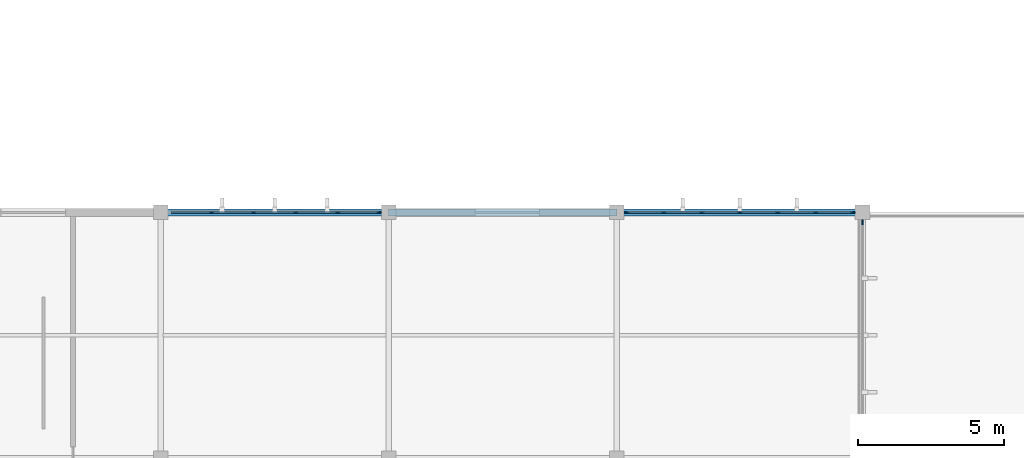
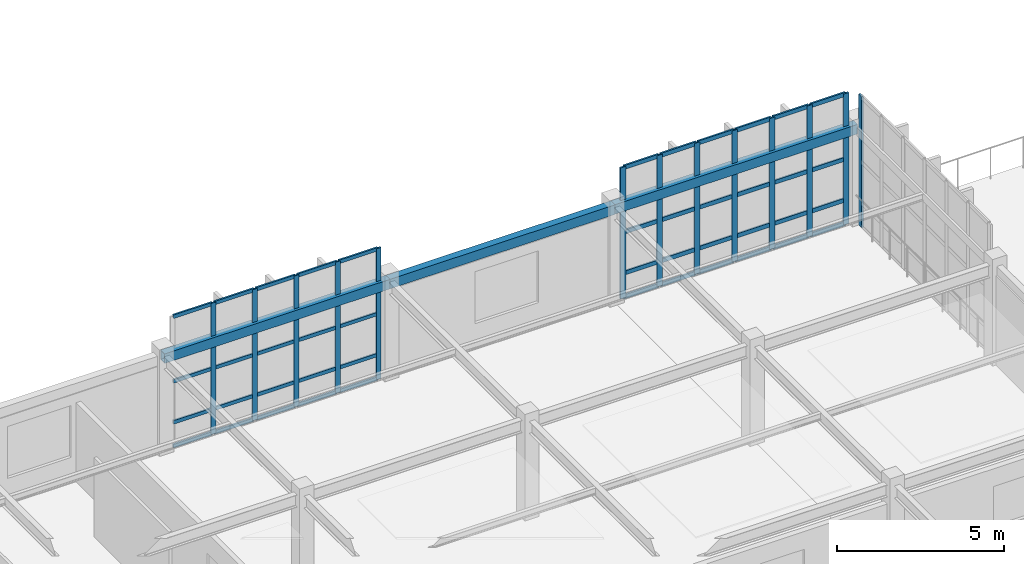
# One storey, part 8 of 20: 57 members, 3 beams, 3 elements without a shape of their own.
"""IFC4 building model written with IfcOpenShell, lengths in metres."""

import ifcopenshell
import ifcopenshell.guid

model = None  # the IFC model being written
_history = None  # IfcOwnerHistory: only IFC2X3 demands one
_inside = {}  # id of a spatial element -> (the spatial element, [elements in it])
_under = {}  # id of a project, library or spatial element -> (it, [spatial elements below it])
_declared = {}  # id of a project -> (the project, [libraries it declares])
_typed = {}  # id of a type object -> (the type object, [elements of that type])
_made_of = {}  # id of a material, layer set ... -> (it, [elements and type objects made of it])


def new_model(schema):
    """Start an empty IFC model of exactly this schema.

    Asked for "IFC4X3", IfcOpenShell would pick the latest addendum, in which some entities
    have other attributes; the version numbers below select the first issue.
    IFC2X3 requires an IfcOwnerHistory on every rooted entity: one is made here for all.
    """
    global model, _history
    if schema == "IFC4X3":
        model = ifcopenshell.file(schema_version=(4, 3, 0, 0))
    else:
        model = ifcopenshell.file(schema=schema)
    _inside.clear()
    _under.clear()
    _declared.clear()
    _typed.clear()
    _made_of.clear()
    _history = None
    if model.schema == "IFC2X3":
        org = make("IfcOrganization", Name="unknown")
        user = make(
            "IfcPersonAndOrganization",
            ThePerson=make("IfcPerson", FamilyName="unknown"),
            TheOrganization=org,
        )
        app = make(
            "IfcApplication",
            ApplicationDeveloper=org,
            Version="unknown",
            ApplicationFullName="unknown",
            ApplicationIdentifier="unknown",
        )
        _history = make(
            "IfcOwnerHistory",
            OwningUser=user,
            OwningApplication=app,
            ChangeAction="ADDED",
            CreationDate=0,
        )
    return model


def make(cls, **values):
    """One entity of the class cls with the attributes given. An attribute that is None is left unset."""
    return model.create_entity(
        cls, **{name: value for name, value in values.items() if value is not None}
    )


def rooted(cls, **values):
    """An entity with a GlobalId (a new one), such as an element, a storey or a relation."""
    return make(cls, GlobalId=ifcopenshell.guid.new(), OwnerHistory=_history, **values)


def si_unit(unit_type, name, prefix=None):
    """IfcSIUnit, for example si_unit("LENGTHUNIT", "METRE", prefix="MILLI")."""
    return make("IfcSIUnit", UnitType=unit_type, Prefix=prefix, Name=name)


def assignment(units):
    """IfcUnitAssignment: the units of a project."""
    return None if units is None else make("IfcUnitAssignment", Units=units)


def point(xyz):
    """IfcCartesianPoint."""
    return None if xyz is None else make("IfcCartesianPoint", Coordinates=xyz)


def direction(xyz):
    """IfcDirection."""
    return None if xyz is None else make("IfcDirection", DirectionRatios=xyz)


def frame(location, z_axis=None, x_axis=None):
    """IfcAxis2Placement3D, a coordinate frame: its origin and axes. An axis left out is left unset."""
    return make(
        "IfcAxis2Placement3D",
        Location=point(location),
        Axis=direction(z_axis),
        RefDirection=direction(x_axis),
    )


def frame_2d(location, x_axis=None):
    """IfcAxis2Placement2D, a coordinate frame in the plane: its origin and x axis."""
    return make(
        "IfcAxis2Placement2D", Location=point(location), RefDirection=direction(x_axis)
    )


def origin():
    """The frame at (0, 0, 0) with its axes left unset."""
    return frame((0.0, 0.0, 0.0))


def origin_2d():
    """The frame at (0, 0) in the plane with its x axis left unset."""
    return frame_2d((0.0, 0.0))


def place(relative_to, where):
    """IfcLocalPlacement: puts the frame where relative to a parent placement (None: the world)."""
    return make(
        "IfcLocalPlacement", PlacementRelTo=relative_to, RelativePlacement=where
    )


def context(
    kind, dimensions, precision=None, world=None, true_north=None, identifier=None
):
    """IfcGeometricRepresentationContext, for example the 3D "Model" context."""
    return make(
        "IfcGeometricRepresentationContext",
        ContextIdentifier=identifier,
        ContextType=kind,
        CoordinateSpaceDimension=dimensions,
        Precision=precision,
        WorldCoordinateSystem=world,
        TrueNorth=true_north,
    )


def subcontext(parent, identifier, kind, view, scale=None):
    """IfcGeometricRepresentationSubContext, for example "Body" below "Model"."""
    return make(
        "IfcGeometricRepresentationSubContext",
        ContextIdentifier=identifier,
        ContextType=kind,
        ParentContext=parent,
        TargetScale=scale,
        TargetView=view,
    )


def project(units=None, contexts=None):
    """IfcProject with its units and contexts."""
    return rooted(
        "IfcProject",
        Name="project",
        RepresentationContexts=contexts,
        UnitsInContext=assignment(units),
    )


def spatial(cls, under=None, at=None, **own):
    """A site, building, storey or space (cls), placed at a placement, below another one or the project."""
    s = rooted(cls, ObjectPlacement=at, **own)
    if under is not None:
        _under.setdefault(under.id(), (under, []))[1].append(s)
    return s


def profile(cls, at=None, kind="AREA", **sizes):
    """A parametric profile (cls). Its sizes go by their IFC names, for example OverallWidth=200.0."""
    return make(cls, ProfileType=kind, Position=at, **sizes)


def rectangle(**sizes):
    """IfcRectangleProfileDef."""
    return profile("IfcRectangleProfileDef", **sizes)


def hollow_rectangle(**sizes):
    """IfcRectangleHollowProfileDef."""
    return profile("IfcRectangleHollowProfileDef", **sizes)


def extrude(swept, where, along, depth):
    """IfcExtrudedAreaSolid: the profile swept, set in the frame where, extruded along a direction by depth."""
    return make(
        "IfcExtrudedAreaSolid",
        SweptArea=swept,
        Position=where,
        ExtrudedDirection=direction(along),
        Depth=depth,
    )


def shape(context_of_items, identifier, shape_type, items):
    """IfcShapeRepresentation: the items that make up one representation, for example the "Body"."""
    return make(
        "IfcShapeRepresentation",
        ContextOfItems=context_of_items,
        RepresentationIdentifier=identifier,
        RepresentationType=shape_type,
        Items=items,
    )


def material(Name=None, Category=None):
    """IfcMaterial."""
    return make("IfcMaterial", Name=Name, Category=Category)


def material_profile(
    of_material, cross_section, Name=None, Category=None, Priority=None
):
    """IfcMaterialProfile: a cross section and its material."""
    return make(
        "IfcMaterialProfile",
        Name=Name,
        Material=of_material,
        Profile=cross_section,
        Priority=Priority,
        Category=Category,
    )


def profile_set(profiles, Name=None, composite=None):
    """IfcMaterialProfileSet."""
    return make(
        "IfcMaterialProfileSet",
        Name=Name,
        MaterialProfiles=profiles,
        CompositeProfile=composite,
    )


def made_of(thing, what):
    """Note that an element or type object is made of a material, layer set ...; save() writes the relation."""
    if what is not None:
        _made_of.setdefault(what.id(), (what, []))[1].append(thing)
    return thing


def type_object(cls, material=None, **own):
    """A type object (cls), such as IfcWallType, which elements share."""
    return made_of(rooted(cls, **own), material)


def element(
    cls,
    number,
    at=None,
    inside=None,
    cuts=None,
    type_object=None,
    material=None,
    context=None,
    identifier="Body",
    shape_type=None,
    held_by="IfcProductDefinitionShape",
    body=None,
    shapes=None,
    **own,
):
    """One element of the class cls, such as IfcWall. Its Tag is "e" and its number.

    at: its placement. inside: the storey or other place that contains it. cuts: it is an
    opening in that element (IfcRelVoidsElement). A single representation is given by context,
    identifier, shape_type and body (its items); several are given by shapes. held_by: the class
    of the entity that holds the representations. save() writes the other relations.
    """
    e = rooted(cls, Tag="e%d" % number, ObjectPlacement=at, **own)
    if body is not None:
        shapes = [shape(context, identifier, shape_type, body)]
    if shapes is not None:
        e.Representation = make(held_by, Representations=shapes)
    if inside is not None:
        _inside.setdefault(inside.id(), (inside, []))[1].append(e)
    if cuts is not None:
        rooted(
            "IfcRelVoidsElement", RelatingBuildingElement=cuts, RelatedOpeningElement=e
        )
    if type_object is not None:
        _typed.setdefault(type_object.id(), (type_object, []))[1].append(e)
    return made_of(e, material)


def aggregate(whole, parts):
    """IfcRelAggregates: a whole, such as a stair, and the parts it consists of."""
    return rooted("IfcRelAggregates", RelatingObject=whole, RelatedObjects=parts)


def save(model, path):
    """Write the relations noted so far, then the file.

    IfcRelAggregates (storeys below a building ...), IfcRelContainedInSpatialStructure (elements
    in a storey), IfcRelDefinesByType, IfcRelAssociatesMaterial and IfcRelDeclares: one each for
    every whole, place, type object, material and project.
    """
    for whole, parts in _under.values():
        aggregate(whole, parts)
    for where, things in _inside.values():
        rooted(
            "IfcRelContainedInSpatialStructure",
            RelatedElements=things,
            RelatingStructure=where,
        )
    for kind, things in _typed.values():
        rooted("IfcRelDefinesByType", RelatedObjects=things, RelatingType=kind)
    for what, things in _made_of.values():
        rooted("IfcRelAssociatesMaterial", RelatedObjects=things, RelatingMaterial=what)
    for by, libraries in _declared.values():
        rooted("IfcRelDeclares", RelatingContext=by, RelatedDefinitions=libraries)
    model.write(path)


model = new_model("IFC4")

# Units and contexts
model_context = context("Model", 3, precision=1e-05, world=origin(), true_north=direction((0.0, 1.0)))
body_context = subcontext(model_context, "Body", "Model", "MODEL_VIEW")
ifc_project = project(units=[si_unit("LENGTHUNIT", "METRE"), si_unit("AREAUNIT", "SQUARE_METRE"), si_unit("VOLUMEUNIT", "CUBIC_METRE"), si_unit("PLANEANGLEUNIT", "RADIAN"), si_unit("MASSUNIT", "GRAM", prefix="KILO")], contexts=[model_context])

# Site, building, storey
site_placement = place(None, origin())
site = spatial("IfcSite", under=ifc_project, at=site_placement, CompositionType="ELEMENT")
building_placement = place(site_placement, origin())
building = spatial("IfcBuilding", under=site, at=building_placement, Name="Tizgana Railside Sports Hall", CompositionType="ELEMENT")
storey_placement = place(building_placement, frame((0.0, 0.0, 19.800048828125)))
storey = spatial("IfcBuildingStorey", under=building, at=storey_placement, Name="L04", CompositionType="ELEMENT", Elevation=19.800048828125)

# Curtain wall, members
ifc_material_1 = material(Name="Anodised aluminium and glass", Category="aluminium")
curtain_wall_type_1 = type_object("IfcCurtainWallType", Name="Unitised Curtain Wall Climbing 1600", PredefinedType="NOTDEFINED", material=ifc_material_1)
curtain_wall_1_placement = place(storey_placement, origin())
curtain_wall_1 = element("IfcCurtainWall", 1, at=curtain_wall_1_placement, inside=storey, type_object=curtain_wall_type_1, Name="L04 Curtain Wall CW-0139", PredefinedType="NOTDEFINED")
ifc_material_2 = material(Name="Anodised aluminium", Category="aluminium")
ifc_material_profile_1 = material_profile(ifc_material_2, rectangle(XDim=0.06005859375, YDim=0.159912109375, at=origin_2d()), Name="Mullion 60x160")
ifc_profile_set_1 = profile_set([ifc_material_profile_1], Name="Anodised aluminium")
member_type_1 = type_object("IfcMemberType", Name="Mullion 60x160", PredefinedType="MULLION", material=ifc_profile_set_1)
member_1_placement = place(storey_placement, frame((40.742919921875, 32.39990234375, 0.0), z_axis=(0.0, 0.0, 1.0), x_axis=(0.0, 1.0, 0.0)))
member_1 = element("IfcMember", 2, at=member_1_placement, type_object=member_type_1, Name="CW-04 mullion 2", PredefinedType="MULLION", context=body_context, shape_type="SweptSolid", body=[
    extrude(rectangle(XDim=0.06005859375, YDim=0.159912109375, at=origin_2d()), origin(), (0.0, 0.0, 1.0), 4.800048828125),
])
member_2_placement = place(storey_placement, frame((42.180908203125, 32.39990234375, 0.0), z_axis=(0.0, 0.0, 1.0), x_axis=(0.0, 1.0, 0.0)))
member_2 = element("IfcMember", 3, at=member_2_placement, type_object=member_type_1, Name="CW-04 mullion 3", PredefinedType="MULLION", context=body_context, shape_type="SweptSolid", body=[
    extrude(rectangle(XDim=0.06005859375, YDim=0.159912109375, at=origin_2d()), origin(), (0.0, 0.0, 1.0), 4.800048828125),
])
member_3_placement = place(storey_placement, frame((43.618896484375, 32.39990234375, 0.0), z_axis=(0.0, 0.0, 1.0), x_axis=(0.0, 1.0, 0.0)))
member_3 = element("IfcMember", 4, at=member_3_placement, type_object=member_type_1, Name="CW-04 mullion 4", PredefinedType="MULLION", context=body_context, shape_type="SweptSolid", body=[
    extrude(rectangle(XDim=0.06005859375, YDim=0.159912109375, at=origin_2d()), origin(), (0.0, 0.0, 1.0), 4.800048828125),
])
member_4_placement = place(storey_placement, frame((45.056884765625, 32.39990234375, 0.0), z_axis=(0.0, 0.0, 1.0), x_axis=(0.0, 1.0, 0.0)))
member_4 = element("IfcMember", 5, at=member_4_placement, type_object=member_type_1, Name="CW-04 mullion 5", PredefinedType="MULLION", context=body_context, shape_type="SweptSolid", body=[
    extrude(rectangle(XDim=0.06005859375, YDim=0.159912109375, at=origin_2d()), origin(), (0.0, 0.0, 1.0), 4.800048828125),
])
member_5_placement = place(storey_placement, frame((46.465087890625, 32.39990234375, 0.0), z_axis=(0.0, 0.0, 1.0), x_axis=(0.0, 1.0, 0.0)))
member_5 = element("IfcMember", 6, at=member_5_placement, type_object=member_type_1, Name="CW-04 mullion 6", PredefinedType="MULLION", context=body_context, shape_type="SweptSolid", body=[
    extrude(rectangle(XDim=0.06005859375, YDim=0.159912109375, at=origin_2d()), origin(), (0.0, 0.0, 1.0), 4.800048828125),
])

curtain_wall_type_2 = type_object("IfcCurtainWallType", Name="Unitised Curtain Wall Clinic 1200", PredefinedType="NOTDEFINED", material=ifc_material_1)
curtain_wall_2_placement = place(storey_placement, origin())
curtain_wall_2 = element("IfcCurtainWall", 7, at=curtain_wall_2_placement, inside=storey, type_object=curtain_wall_type_2, Name="L04 Curtain Wall CW-0140", PredefinedType="NOTDEFINED")
ifc_material_profile_2 = material_profile(ifc_material_2, rectangle(XDim=0.06005859375, YDim=0.179931640625, at=origin_2d()), Name="Mullion 60x180")
ifc_profile_set_2 = profile_set([ifc_material_profile_2], Name="Anodised aluminium")
member_type_2 = type_object("IfcMemberType", Name="Mullion 60x180", PredefinedType="MULLION", material=ifc_profile_set_2)
member_6_placement = place(storey_placement, frame((54.93505859375, 32.39990234375, 0.0), z_axis=(0.0, 0.0, 1.0), x_axis=(0.0, 1.0, 0.0)))
member_6 = element("IfcMember", 8, at=member_6_placement, type_object=member_type_2, Name="CW-05 mullion 1", PredefinedType="MULLION", context=body_context, shape_type="SweptSolid", body=[
    extrude(rectangle(XDim=0.06005859375, YDim=0.179931640625, at=origin_2d()), origin(), (0.0, 0.0, 1.0), 4.800048828125),
])
member_7_placement = place(storey_placement, frame((56.203369140625, 32.39990234375, 0.0), z_axis=(0.0, 0.0, 1.0), x_axis=(0.0, 1.0, 0.0)))
member_7 = element("IfcMember", 9, at=member_7_placement, type_object=member_type_2, Name="CW-05 mullion 2", PredefinedType="MULLION", context=body_context, shape_type="SweptSolid", body=[
    extrude(rectangle(XDim=0.06005859375, YDim=0.179931640625, at=origin_2d()), origin(), (0.0, 0.0, 1.0), 4.800048828125),
])
member_8_placement = place(storey_placement, frame((57.501708984375, 32.39990234375, 0.0), z_axis=(0.0, 0.0, 1.0), x_axis=(0.0, 1.0, 0.0)))
member_8 = element("IfcMember", 10, at=member_8_placement, type_object=member_type_2, Name="CW-05 mullion 3", PredefinedType="MULLION", context=body_context, shape_type="SweptSolid", body=[
    extrude(rectangle(XDim=0.06005859375, YDim=0.179931640625, at=origin_2d()), origin(), (0.0, 0.0, 1.0), 4.800048828125),
])
member_9_placement = place(storey_placement, frame((58.800048828125, 32.39990234375, 0.0), z_axis=(0.0, 0.0, 1.0), x_axis=(0.0, 1.0, 0.0)))
member_9 = element("IfcMember", 11, at=member_9_placement, type_object=member_type_2, Name="CW-05 mullion 4", PredefinedType="MULLION", context=body_context, shape_type="SweptSolid", body=[
    extrude(rectangle(XDim=0.06005859375, YDim=0.179931640625, at=origin_2d()), origin(), (0.0, 0.0, 1.0), 4.800048828125),
])
member_10_placement = place(storey_placement, frame((60.098388671875, 32.39990234375, 0.0), z_axis=(0.0, 0.0, 1.0), x_axis=(0.0, 1.0, 0.0)))
member_10 = element("IfcMember", 12, at=member_10_placement, type_object=member_type_2, Name="CW-05 mullion 5", PredefinedType="MULLION", context=body_context, shape_type="SweptSolid", body=[
    extrude(rectangle(XDim=0.06005859375, YDim=0.179931640625, at=origin_2d()), origin(), (0.0, 0.0, 1.0), 4.800048828125),
])
member_11_placement = place(storey_placement, frame((61.396728515625, 32.39990234375, 0.0), z_axis=(0.0, 0.0, 1.0), x_axis=(0.0, 1.0, 0.0)))
member_11 = element("IfcMember", 13, at=member_11_placement, type_object=member_type_2, Name="CW-05 mullion 6", PredefinedType="MULLION", context=body_context, shape_type="SweptSolid", body=[
    extrude(rectangle(XDim=0.06005859375, YDim=0.179931640625, at=origin_2d()), origin(), (0.0, 0.0, 1.0), 4.800048828125),
])
member_12_placement = place(storey_placement, frame((62.6650390625, 32.39990234375, 0.0), z_axis=(0.0, 0.0, 1.0), x_axis=(0.0, 1.0, 0.0)))
member_12 = element("IfcMember", 14, at=member_12_placement, type_object=member_type_2, Name="CW-05 mullion 7", PredefinedType="MULLION", context=body_context, shape_type="SweptSolid", body=[
    extrude(rectangle(XDim=0.06005859375, YDim=0.179931640625, at=origin_2d()), origin(), (0.0, 0.0, 1.0), 4.800048828125),
])

# Curtain wall, member
curtain_wall_type_3 = type_object("IfcCurtainWallType", Name="Unitised Curtain Wall Studio 1400", PredefinedType="NOTDEFINED", material=ifc_material_1)
curtain_wall_3_placement = place(storey_placement, origin())
curtain_wall_3 = element("IfcCurtainWall", 15, at=curtain_wall_3_placement, inside=storey, type_object=curtain_wall_type_3, Name="L04 Curtain Wall CW-0146", PredefinedType="NOTDEFINED")
member_13_placement = place(storey_placement, frame((63.0, 32.06494140625, 0.0), z_axis=(0.0, 0.0, 1.0), x_axis=(1.0, 0.0, 0.0)))
member_13 = element("IfcMember", 16, at=member_13_placement, type_object=member_type_2, Name="CW-03 mullion 1", PredefinedType="MULLION", context=body_context, shape_type="SweptSolid", body=[
    extrude(rectangle(XDim=0.06005859375, YDim=0.179931640625, at=origin_2d()), origin(), (0.0, 0.0, 1.0), 4.800048828125),
])
aggregate(curtain_wall_3, [member_13])

# Beams
ifc_material_3 = material(Name="Steel S355J2", Category="steel")
ifc_material_profile_3 = material_profile(ifc_material_3, hollow_rectangle(XDim=0.25, YDim=0.35009765625, WallThickness=0.011962890625, at=origin_2d()), Name="RHS 350x250x12")
ifc_profile_set_3 = profile_set([ifc_material_profile_3], Name="Steel S355J2")
beam_type = type_object("IfcBeamType", Name="Steel Spandrel RHS 350x250x12", PredefinedType="SPANDREL", material=ifc_profile_set_3)
for number, where, z_axis, x_axis, name in (
    (17, (39.0, 32.39990234375, 3.4208984375), (1.0, 0.0, 0.0), (0.0, 1.0, 0.0), "L04 BEM-0849"),
    (18, (46.800048828125, 32.39990234375, 3.4208984375), (1.0, 0.0, 0.0), (0.0, 1.0, 0.0), "L04 BEM-0856"),
):
    element("IfcBeam", number, at=place(storey_placement, frame(where, z_axis=z_axis, x_axis=x_axis)), inside=storey, type_object=beam_type, Name=name, PredefinedType="SPANDREL", context=body_context, shape_type="SweptSolid", body=[
        extrude(hollow_rectangle(XDim=0.25, YDim=0.35009765625, WallThickness=0.011962890625, at=origin_2d()), origin(), (0.0, 0.0, 1.0), 7.800048828125),
    ])
beam_placement = place(storey_placement, frame((54.60009765625, 32.39990234375, 3.425048828125), z_axis=(1.0, 0.0, 0.0), x_axis=(0.0, 1.0, 0.0)))
element("IfcBeam", 19, at=beam_placement, inside=storey, type_object=beam_type, Name="L04 BEM-0863", PredefinedType="SPANDREL", context=body_context, shape_type="SweptSolid", body=[
    extrude(hollow_rectangle(XDim=0.25, YDim=0.35009765625, WallThickness=0.011962890625, at=origin_2d()), origin(), (0.0, 0.0, 1.0), 8.39990234375),
])

# Member
ifc_material_profile_4 = material_profile(ifc_material_2, rectangle(XDim=0.06005859375, YDim=0.1298828125, at=origin_2d()), Name="Transom 60x130")
ifc_profile_set_4 = profile_set([ifc_material_profile_4], Name="Anodised aluminium")
member_type_3 = type_object("IfcMemberType", Name="Transom 60x130", PredefinedType="USERDEFINED", material=ifc_profile_set_4)
member_14_placement = place(storey_placement, frame((39.364990234375, 32.39990234375, 0.030029296875), z_axis=(1.0, 0.0, 0.0), x_axis=(0.0, 1.0, 0.0)))
member_14 = element("IfcMember", 20, at=member_14_placement, type_object=member_type_3, Name="CW-04 transom 1.1", ObjectType="TRANSOM", PredefinedType="USERDEFINED", context=body_context, shape_type="SweptSolid", body=[
    extrude(rectangle(XDim=0.06005859375, YDim=0.1298828125, at=origin_2d()), origin(), (0.0, 0.0, 1.0), 1.347900390625),
])

member_15_placement = place(storey_placement, frame((39.364990234375, 32.39990234375, 0.89990234375), z_axis=(1.0, 0.0, 0.0), x_axis=(0.0, 1.0, 0.0)))
member_15 = element("IfcMember", 21, at=member_15_placement, type_object=member_type_3, Name="CW-04 transom 1.2", ObjectType="TRANSOM", PredefinedType="USERDEFINED", context=body_context, shape_type="SweptSolid", body=[
    extrude(rectangle(XDim=0.06005859375, YDim=0.1298828125, at=origin_2d()), origin(), (0.0, 0.0, 1.0), 1.347900390625),
])

member_16_placement = place(storey_placement, frame((39.364990234375, 32.39990234375, 2.39990234375), z_axis=(1.0, 0.0, 0.0), x_axis=(0.0, 1.0, 0.0)))
member_16 = element("IfcMember", 22, at=member_16_placement, type_object=member_type_3, Name="CW-04 transom 1.3", ObjectType="TRANSOM", PredefinedType="USERDEFINED", context=body_context, shape_type="SweptSolid", body=[
    extrude(rectangle(XDim=0.06005859375, YDim=0.1298828125, at=origin_2d()), origin(), (0.0, 0.0, 1.0), 1.347900390625),
])

member_17_placement = place(storey_placement, frame((39.364990234375, 32.39990234375, 4.77001953125), z_axis=(1.0, 0.0, 0.0), x_axis=(0.0, 1.0, 0.0)))
member_17 = element("IfcMember", 23, at=member_17_placement, type_object=member_type_3, Name="CW-04 transom 1.4", ObjectType="TRANSOM", PredefinedType="USERDEFINED", context=body_context, shape_type="SweptSolid", body=[
    extrude(rectangle(XDim=0.06005859375, YDim=0.1298828125, at=origin_2d()), origin(), (0.0, 0.0, 1.0), 1.347900390625),
])

member_18_placement = place(storey_placement, frame((40.77294921875, 32.39990234375, 0.030029296875), z_axis=(1.0, 0.0, 0.0), x_axis=(0.0, 1.0, 0.0)))
member_18 = element("IfcMember", 24, at=member_18_placement, type_object=member_type_3, Name="CW-04 transom 2.1", ObjectType="TRANSOM", PredefinedType="USERDEFINED", context=body_context, shape_type="SweptSolid", body=[
    extrude(rectangle(XDim=0.06005859375, YDim=0.1298828125, at=origin_2d()), origin(), (0.0, 0.0, 1.0), 1.3779296875),
])

member_19_placement = place(storey_placement, frame((40.77294921875, 32.39990234375, 0.89990234375), z_axis=(1.0, 0.0, 0.0), x_axis=(0.0, 1.0, 0.0)))
member_19 = element("IfcMember", 25, at=member_19_placement, type_object=member_type_3, Name="CW-04 transom 2.2", ObjectType="TRANSOM", PredefinedType="USERDEFINED", context=body_context, shape_type="SweptSolid", body=[
    extrude(rectangle(XDim=0.06005859375, YDim=0.1298828125, at=origin_2d()), origin(), (0.0, 0.0, 1.0), 1.3779296875),
])

member_20_placement = place(storey_placement, frame((40.77294921875, 32.39990234375, 2.39990234375), z_axis=(1.0, 0.0, 0.0), x_axis=(0.0, 1.0, 0.0)))
member_20 = element("IfcMember", 26, at=member_20_placement, type_object=member_type_3, Name="CW-04 transom 2.3", ObjectType="TRANSOM", PredefinedType="USERDEFINED", context=body_context, shape_type="SweptSolid", body=[
    extrude(rectangle(XDim=0.06005859375, YDim=0.1298828125, at=origin_2d()), origin(), (0.0, 0.0, 1.0), 1.3779296875),
])

member_21_placement = place(storey_placement, frame((40.77294921875, 32.39990234375, 4.77001953125), z_axis=(1.0, 0.0, 0.0), x_axis=(0.0, 1.0, 0.0)))
member_21 = element("IfcMember", 27, at=member_21_placement, type_object=member_type_3, Name="CW-04 transom 2.4", ObjectType="TRANSOM", PredefinedType="USERDEFINED", context=body_context, shape_type="SweptSolid", body=[
    extrude(rectangle(XDim=0.06005859375, YDim=0.1298828125, at=origin_2d()), origin(), (0.0, 0.0, 1.0), 1.3779296875),
])

member_22_placement = place(storey_placement, frame((42.2109375, 32.39990234375, 0.030029296875), z_axis=(1.0, 0.0, 0.0), x_axis=(0.0, 1.0, 0.0)))
member_22 = element("IfcMember", 28, at=member_22_placement, type_object=member_type_3, Name="CW-04 transom 3.1", ObjectType="TRANSOM", PredefinedType="USERDEFINED", context=body_context, shape_type="SweptSolid", body=[
    extrude(rectangle(XDim=0.06005859375, YDim=0.1298828125, at=origin_2d()), origin(), (0.0, 0.0, 1.0), 1.378173828125),
])

member_23_placement = place(storey_placement, frame((42.2109375, 32.39990234375, 0.89990234375), z_axis=(1.0, 0.0, 0.0), x_axis=(0.0, 1.0, 0.0)))
member_23 = element("IfcMember", 29, at=member_23_placement, type_object=member_type_3, Name="CW-04 transom 3.2", ObjectType="TRANSOM", PredefinedType="USERDEFINED", context=body_context, shape_type="SweptSolid", body=[
    extrude(rectangle(XDim=0.06005859375, YDim=0.1298828125, at=origin_2d()), origin(), (0.0, 0.0, 1.0), 1.378173828125),
])

member_24_placement = place(storey_placement, frame((42.2109375, 32.39990234375, 2.39990234375), z_axis=(1.0, 0.0, 0.0), x_axis=(0.0, 1.0, 0.0)))
member_24 = element("IfcMember", 30, at=member_24_placement, type_object=member_type_3, Name="CW-04 transom 3.3", ObjectType="TRANSOM", PredefinedType="USERDEFINED", context=body_context, shape_type="SweptSolid", body=[
    extrude(rectangle(XDim=0.06005859375, YDim=0.1298828125, at=origin_2d()), origin(), (0.0, 0.0, 1.0), 1.378173828125),
])

member_25_placement = place(storey_placement, frame((42.2109375, 32.39990234375, 4.77001953125), z_axis=(1.0, 0.0, 0.0), x_axis=(0.0, 1.0, 0.0)))
member_25 = element("IfcMember", 31, at=member_25_placement, type_object=member_type_3, Name="CW-04 transom 3.4", ObjectType="TRANSOM", PredefinedType="USERDEFINED", context=body_context, shape_type="SweptSolid", body=[
    extrude(rectangle(XDim=0.06005859375, YDim=0.1298828125, at=origin_2d()), origin(), (0.0, 0.0, 1.0), 1.378173828125),
])

member_26_placement = place(storey_placement, frame((43.64892578125, 32.39990234375, 0.030029296875), z_axis=(1.0, 0.0, 0.0), x_axis=(0.0, 1.0, 0.0)))
member_26 = element("IfcMember", 32, at=member_26_placement, type_object=member_type_3, Name="CW-04 transom 4.1", ObjectType="TRANSOM", PredefinedType="USERDEFINED", context=body_context, shape_type="SweptSolid", body=[
    extrude(rectangle(XDim=0.06005859375, YDim=0.1298828125, at=origin_2d()), origin(), (0.0, 0.0, 1.0), 1.378173828125),
])

member_27_placement = place(storey_placement, frame((43.64892578125, 32.39990234375, 0.89990234375), z_axis=(1.0, 0.0, 0.0), x_axis=(0.0, 1.0, 0.0)))
member_27 = element("IfcMember", 33, at=member_27_placement, type_object=member_type_3, Name="CW-04 transom 4.2", ObjectType="TRANSOM", PredefinedType="USERDEFINED", context=body_context, shape_type="SweptSolid", body=[
    extrude(rectangle(XDim=0.06005859375, YDim=0.1298828125, at=origin_2d()), origin(), (0.0, 0.0, 1.0), 1.378173828125),
])

member_28_placement = place(storey_placement, frame((43.64892578125, 32.39990234375, 2.39990234375), z_axis=(1.0, 0.0, 0.0), x_axis=(0.0, 1.0, 0.0)))
member_28 = element("IfcMember", 34, at=member_28_placement, type_object=member_type_3, Name="CW-04 transom 4.3", ObjectType="TRANSOM", PredefinedType="USERDEFINED", context=body_context, shape_type="SweptSolid", body=[
    extrude(rectangle(XDim=0.06005859375, YDim=0.1298828125, at=origin_2d()), origin(), (0.0, 0.0, 1.0), 1.378173828125),
])

member_29_placement = place(storey_placement, frame((43.64892578125, 32.39990234375, 4.77001953125), z_axis=(1.0, 0.0, 0.0), x_axis=(0.0, 1.0, 0.0)))
member_29 = element("IfcMember", 35, at=member_29_placement, type_object=member_type_3, Name="CW-04 transom 4.4", ObjectType="TRANSOM", PredefinedType="USERDEFINED", context=body_context, shape_type="SweptSolid", body=[
    extrude(rectangle(XDim=0.06005859375, YDim=0.1298828125, at=origin_2d()), origin(), (0.0, 0.0, 1.0), 1.378173828125),
])

member_30_placement = place(storey_placement, frame((45.0869140625, 32.39990234375, 0.030029296875), z_axis=(1.0, 0.0, 0.0), x_axis=(0.0, 1.0, 0.0)))
member_30 = element("IfcMember", 36, at=member_30_placement, type_object=member_type_3, Name="CW-04 transom 5.1", ObjectType="TRANSOM", PredefinedType="USERDEFINED", context=body_context, shape_type="SweptSolid", body=[
    extrude(rectangle(XDim=0.06005859375, YDim=0.1298828125, at=origin_2d()), origin(), (0.0, 0.0, 1.0), 1.34814453125),
])

member_31_placement = place(storey_placement, frame((45.0869140625, 32.39990234375, 0.89990234375), z_axis=(1.0, 0.0, 0.0), x_axis=(0.0, 1.0, 0.0)))
member_31 = element("IfcMember", 37, at=member_31_placement, type_object=member_type_3, Name="CW-04 transom 5.2", ObjectType="TRANSOM", PredefinedType="USERDEFINED", context=body_context, shape_type="SweptSolid", body=[
    extrude(rectangle(XDim=0.06005859375, YDim=0.1298828125, at=origin_2d()), origin(), (0.0, 0.0, 1.0), 1.34814453125),
])

member_32_placement = place(storey_placement, frame((45.0869140625, 32.39990234375, 2.39990234375), z_axis=(1.0, 0.0, 0.0), x_axis=(0.0, 1.0, 0.0)))
member_32 = element("IfcMember", 38, at=member_32_placement, type_object=member_type_3, Name="CW-04 transom 5.3", ObjectType="TRANSOM", PredefinedType="USERDEFINED", context=body_context, shape_type="SweptSolid", body=[
    extrude(rectangle(XDim=0.06005859375, YDim=0.1298828125, at=origin_2d()), origin(), (0.0, 0.0, 1.0), 1.34814453125),
])

member_33_placement = place(storey_placement, frame((45.0869140625, 32.39990234375, 4.77001953125), z_axis=(1.0, 0.0, 0.0), x_axis=(0.0, 1.0, 0.0)))
member_33 = element("IfcMember", 39, at=member_33_placement, type_object=member_type_3, Name="CW-04 transom 5.4", ObjectType="TRANSOM", PredefinedType="USERDEFINED", context=body_context, shape_type="SweptSolid", body=[
    extrude(rectangle(XDim=0.06005859375, YDim=0.1298828125, at=origin_2d()), origin(), (0.0, 0.0, 1.0), 1.34814453125),
])

aggregate(curtain_wall_1, [member_1, member_2, member_3, member_4, member_5, member_14, member_15, member_16, member_17, member_18, member_19, member_20, member_21, member_22, member_23, member_24, member_25, member_26, member_27, member_28, member_29, member_30, member_31, member_32, member_33])

ifc_material_profile_5 = material_profile(ifc_material_2, rectangle(XDim=0.06005859375, YDim=0.14990234375, at=origin_2d()), Name="Transom 60x150")
ifc_profile_set_5 = profile_set([ifc_material_profile_5], Name="Anodised aluminium")
member_type_4 = type_object("IfcMemberType", Name="Transom 60x150", PredefinedType="USERDEFINED", material=ifc_profile_set_5)
member_34_placement = place(storey_placement, frame((54.965087890625, 32.39990234375, 0.030029296875), z_axis=(1.0, 0.0, 0.0), x_axis=(0.0, 1.0, 0.0)))
member_34 = element("IfcMember", 40, at=member_34_placement, type_object=member_type_4, Name="CW-05 transom 1.1", ObjectType="TRANSOM", PredefinedType="USERDEFINED", context=body_context, shape_type="SweptSolid", body=[
    extrude(rectangle(XDim=0.06005859375, YDim=0.14990234375, at=origin_2d()), origin(), (0.0, 0.0, 1.0), 1.208251953125),
])

member_35_placement = place(storey_placement, frame((54.965087890625, 32.39990234375, 0.89990234375), z_axis=(1.0, 0.0, 0.0), x_axis=(0.0, 1.0, 0.0)))
member_35 = element("IfcMember", 41, at=member_35_placement, type_object=member_type_4, Name="CW-05 transom 1.2", ObjectType="TRANSOM", PredefinedType="USERDEFINED", context=body_context, shape_type="SweptSolid", body=[
    extrude(rectangle(XDim=0.06005859375, YDim=0.14990234375, at=origin_2d()), origin(), (0.0, 0.0, 1.0), 1.208251953125),
])

member_36_placement = place(storey_placement, frame((54.965087890625, 32.39990234375, 2.39990234375), z_axis=(1.0, 0.0, 0.0), x_axis=(0.0, 1.0, 0.0)))
member_36 = element("IfcMember", 42, at=member_36_placement, type_object=member_type_4, Name="CW-05 transom 1.3", ObjectType="TRANSOM", PredefinedType="USERDEFINED", context=body_context, shape_type="SweptSolid", body=[
    extrude(rectangle(XDim=0.06005859375, YDim=0.14990234375, at=origin_2d()), origin(), (0.0, 0.0, 1.0), 1.208251953125),
])

member_37_placement = place(storey_placement, frame((54.965087890625, 32.39990234375, 4.77001953125), z_axis=(1.0, 0.0, 0.0), x_axis=(0.0, 1.0, 0.0)))
member_37 = element("IfcMember", 43, at=member_37_placement, type_object=member_type_4, Name="CW-05 transom 1.4", ObjectType="TRANSOM", PredefinedType="USERDEFINED", context=body_context, shape_type="SweptSolid", body=[
    extrude(rectangle(XDim=0.06005859375, YDim=0.14990234375, at=origin_2d()), origin(), (0.0, 0.0, 1.0), 1.208251953125),
])

member_38_placement = place(storey_placement, frame((56.2333984375, 32.39990234375, 0.030029296875), z_axis=(1.0, 0.0, 0.0), x_axis=(0.0, 1.0, 0.0)))
member_38 = element("IfcMember", 44, at=member_38_placement, type_object=member_type_4, Name="CW-05 transom 2.1", ObjectType="TRANSOM", PredefinedType="USERDEFINED", context=body_context, shape_type="SweptSolid", body=[
    extrude(rectangle(XDim=0.06005859375, YDim=0.14990234375, at=origin_2d()), origin(), (0.0, 0.0, 1.0), 1.23828125),
])

member_39_placement = place(storey_placement, frame((56.2333984375, 32.39990234375, 0.89990234375), z_axis=(1.0, 0.0, 0.0), x_axis=(0.0, 1.0, 0.0)))
member_39 = element("IfcMember", 45, at=member_39_placement, type_object=member_type_4, Name="CW-05 transom 2.2", ObjectType="TRANSOM", PredefinedType="USERDEFINED", context=body_context, shape_type="SweptSolid", body=[
    extrude(rectangle(XDim=0.06005859375, YDim=0.14990234375, at=origin_2d()), origin(), (0.0, 0.0, 1.0), 1.23828125),
])

member_40_placement = place(storey_placement, frame((56.2333984375, 32.39990234375, 2.39990234375), z_axis=(1.0, 0.0, 0.0), x_axis=(0.0, 1.0, 0.0)))
member_40 = element("IfcMember", 46, at=member_40_placement, type_object=member_type_4, Name="CW-05 transom 2.3", ObjectType="TRANSOM", PredefinedType="USERDEFINED", context=body_context, shape_type="SweptSolid", body=[
    extrude(rectangle(XDim=0.06005859375, YDim=0.14990234375, at=origin_2d()), origin(), (0.0, 0.0, 1.0), 1.23828125),
])

member_41_placement = place(storey_placement, frame((56.2333984375, 32.39990234375, 4.77001953125), z_axis=(1.0, 0.0, 0.0), x_axis=(0.0, 1.0, 0.0)))
member_41 = element("IfcMember", 47, at=member_41_placement, type_object=member_type_4, Name="CW-05 transom 2.4", ObjectType="TRANSOM", PredefinedType="USERDEFINED", context=body_context, shape_type="SweptSolid", body=[
    extrude(rectangle(XDim=0.06005859375, YDim=0.14990234375, at=origin_2d()), origin(), (0.0, 0.0, 1.0), 1.23828125),
])

member_42_placement = place(storey_placement, frame((57.53173828125, 32.39990234375, 0.030029296875), z_axis=(1.0, 0.0, 0.0), x_axis=(0.0, 1.0, 0.0)))
member_42 = element("IfcMember", 48, at=member_42_placement, type_object=member_type_4, Name="CW-05 transom 3.1", ObjectType="TRANSOM", PredefinedType="USERDEFINED", context=body_context, shape_type="SweptSolid", body=[
    extrude(rectangle(XDim=0.06005859375, YDim=0.14990234375, at=origin_2d()), origin(), (0.0, 0.0, 1.0), 1.23828125),
])

member_43_placement = place(storey_placement, frame((57.53173828125, 32.39990234375, 0.89990234375), z_axis=(1.0, 0.0, 0.0), x_axis=(0.0, 1.0, 0.0)))
member_43 = element("IfcMember", 49, at=member_43_placement, type_object=member_type_4, Name="CW-05 transom 3.2", ObjectType="TRANSOM", PredefinedType="USERDEFINED", context=body_context, shape_type="SweptSolid", body=[
    extrude(rectangle(XDim=0.06005859375, YDim=0.14990234375, at=origin_2d()), origin(), (0.0, 0.0, 1.0), 1.23828125),
])

member_44_placement = place(storey_placement, frame((57.53173828125, 32.39990234375, 2.39990234375), z_axis=(1.0, 0.0, 0.0), x_axis=(0.0, 1.0, 0.0)))
member_44 = element("IfcMember", 50, at=member_44_placement, type_object=member_type_4, Name="CW-05 transom 3.3", ObjectType="TRANSOM", PredefinedType="USERDEFINED", context=body_context, shape_type="SweptSolid", body=[
    extrude(rectangle(XDim=0.06005859375, YDim=0.14990234375, at=origin_2d()), origin(), (0.0, 0.0, 1.0), 1.23828125),
])

member_45_placement = place(storey_placement, frame((57.53173828125, 32.39990234375, 4.77001953125), z_axis=(1.0, 0.0, 0.0), x_axis=(0.0, 1.0, 0.0)))
member_45 = element("IfcMember", 51, at=member_45_placement, type_object=member_type_4, Name="CW-05 transom 3.4", ObjectType="TRANSOM", PredefinedType="USERDEFINED", context=body_context, shape_type="SweptSolid", body=[
    extrude(rectangle(XDim=0.06005859375, YDim=0.14990234375, at=origin_2d()), origin(), (0.0, 0.0, 1.0), 1.23828125),
])

member_46_placement = place(storey_placement, frame((58.830078125, 32.39990234375, 0.030029296875), z_axis=(1.0, 0.0, 0.0), x_axis=(0.0, 1.0, 0.0)))
member_46 = element("IfcMember", 52, at=member_46_placement, type_object=member_type_4, Name="CW-05 transom 4.1", ObjectType="TRANSOM", PredefinedType="USERDEFINED", context=body_context, shape_type="SweptSolid", body=[
    extrude(rectangle(XDim=0.06005859375, YDim=0.14990234375, at=origin_2d()), origin(), (0.0, 0.0, 1.0), 1.23828125),
])

member_47_placement = place(storey_placement, frame((58.830078125, 32.39990234375, 0.89990234375), z_axis=(1.0, 0.0, 0.0), x_axis=(0.0, 1.0, 0.0)))
member_47 = element("IfcMember", 53, at=member_47_placement, type_object=member_type_4, Name="CW-05 transom 4.2", ObjectType="TRANSOM", PredefinedType="USERDEFINED", context=body_context, shape_type="SweptSolid", body=[
    extrude(rectangle(XDim=0.06005859375, YDim=0.14990234375, at=origin_2d()), origin(), (0.0, 0.0, 1.0), 1.23828125),
])

member_48_placement = place(storey_placement, frame((58.830078125, 32.39990234375, 2.39990234375), z_axis=(1.0, 0.0, 0.0), x_axis=(0.0, 1.0, 0.0)))
member_48 = element("IfcMember", 54, at=member_48_placement, type_object=member_type_4, Name="CW-05 transom 4.3", ObjectType="TRANSOM", PredefinedType="USERDEFINED", context=body_context, shape_type="SweptSolid", body=[
    extrude(rectangle(XDim=0.06005859375, YDim=0.14990234375, at=origin_2d()), origin(), (0.0, 0.0, 1.0), 1.23828125),
])

member_49_placement = place(storey_placement, frame((58.830078125, 32.39990234375, 4.77001953125), z_axis=(1.0, 0.0, 0.0), x_axis=(0.0, 1.0, 0.0)))
member_49 = element("IfcMember", 55, at=member_49_placement, type_object=member_type_4, Name="CW-05 transom 4.4", ObjectType="TRANSOM", PredefinedType="USERDEFINED", context=body_context, shape_type="SweptSolid", body=[
    extrude(rectangle(XDim=0.06005859375, YDim=0.14990234375, at=origin_2d()), origin(), (0.0, 0.0, 1.0), 1.23828125),
])

member_50_placement = place(storey_placement, frame((60.12841796875, 32.39990234375, 0.030029296875), z_axis=(1.0, 0.0, 0.0), x_axis=(0.0, 1.0, 0.0)))
member_50 = element("IfcMember", 56, at=member_50_placement, type_object=member_type_4, Name="CW-05 transom 5.1", ObjectType="TRANSOM", PredefinedType="USERDEFINED", context=body_context, shape_type="SweptSolid", body=[
    extrude(rectangle(XDim=0.06005859375, YDim=0.14990234375, at=origin_2d()), origin(), (0.0, 0.0, 1.0), 1.23828125),
])

member_51_placement = place(storey_placement, frame((60.12841796875, 32.39990234375, 0.89990234375), z_axis=(1.0, 0.0, 0.0), x_axis=(0.0, 1.0, 0.0)))
member_51 = element("IfcMember", 57, at=member_51_placement, type_object=member_type_4, Name="CW-05 transom 5.2", ObjectType="TRANSOM", PredefinedType="USERDEFINED", context=body_context, shape_type="SweptSolid", body=[
    extrude(rectangle(XDim=0.06005859375, YDim=0.14990234375, at=origin_2d()), origin(), (0.0, 0.0, 1.0), 1.23828125),
])

member_52_placement = place(storey_placement, frame((60.12841796875, 32.39990234375, 2.39990234375), z_axis=(1.0, 0.0, 0.0), x_axis=(0.0, 1.0, 0.0)))
member_52 = element("IfcMember", 58, at=member_52_placement, type_object=member_type_4, Name="CW-05 transom 5.3", ObjectType="TRANSOM", PredefinedType="USERDEFINED", context=body_context, shape_type="SweptSolid", body=[
    extrude(rectangle(XDim=0.06005859375, YDim=0.14990234375, at=origin_2d()), origin(), (0.0, 0.0, 1.0), 1.23828125),
])

member_53_placement = place(storey_placement, frame((60.12841796875, 32.39990234375, 4.77001953125), z_axis=(1.0, 0.0, 0.0), x_axis=(0.0, 1.0, 0.0)))
member_53 = element("IfcMember", 59, at=member_53_placement, type_object=member_type_4, Name="CW-05 transom 5.4", ObjectType="TRANSOM", PredefinedType="USERDEFINED", context=body_context, shape_type="SweptSolid", body=[
    extrude(rectangle(XDim=0.06005859375, YDim=0.14990234375, at=origin_2d()), origin(), (0.0, 0.0, 1.0), 1.23828125),
])

member_54_placement = place(storey_placement, frame((61.4267578125, 32.39990234375, 0.030029296875), z_axis=(1.0, 0.0, 0.0), x_axis=(0.0, 1.0, 0.0)))
member_54 = element("IfcMember", 60, at=member_54_placement, type_object=member_type_4, Name="CW-05 transom 6.1", ObjectType="TRANSOM", PredefinedType="USERDEFINED", context=body_context, shape_type="SweptSolid", body=[
    extrude(rectangle(XDim=0.06005859375, YDim=0.14990234375, at=origin_2d()), origin(), (0.0, 0.0, 1.0), 1.208251953125),
])

member_55_placement = place(storey_placement, frame((61.4267578125, 32.39990234375, 0.89990234375), z_axis=(1.0, 0.0, 0.0), x_axis=(0.0, 1.0, 0.0)))
member_55 = element("IfcMember", 61, at=member_55_placement, type_object=member_type_4, Name="CW-05 transom 6.2", ObjectType="TRANSOM", PredefinedType="USERDEFINED", context=body_context, shape_type="SweptSolid", body=[
    extrude(rectangle(XDim=0.06005859375, YDim=0.14990234375, at=origin_2d()), origin(), (0.0, 0.0, 1.0), 1.208251953125),
])

member_56_placement = place(storey_placement, frame((61.4267578125, 32.39990234375, 2.39990234375), z_axis=(1.0, 0.0, 0.0), x_axis=(0.0, 1.0, 0.0)))
member_56 = element("IfcMember", 62, at=member_56_placement, type_object=member_type_4, Name="CW-05 transom 6.3", ObjectType="TRANSOM", PredefinedType="USERDEFINED", context=body_context, shape_type="SweptSolid", body=[
    extrude(rectangle(XDim=0.06005859375, YDim=0.14990234375, at=origin_2d()), origin(), (0.0, 0.0, 1.0), 1.208251953125),
])

member_57_placement = place(storey_placement, frame((61.4267578125, 32.39990234375, 4.77001953125), z_axis=(1.0, 0.0, 0.0), x_axis=(0.0, 1.0, 0.0)))
member_57 = element("IfcMember", 63, at=member_57_placement, type_object=member_type_4, Name="CW-05 transom 6.4", ObjectType="TRANSOM", PredefinedType="USERDEFINED", context=body_context, shape_type="SweptSolid", body=[
    extrude(rectangle(XDim=0.06005859375, YDim=0.14990234375, at=origin_2d()), origin(), (0.0, 0.0, 1.0), 1.208251953125),
])

aggregate(curtain_wall_2, [member_6, member_7, member_8, member_9, member_10, member_11, member_12, member_34, member_35, member_36, member_37, member_38, member_39, member_40, member_41, member_42, member_43, member_44, member_45, member_46, member_47, member_48, member_49, member_50, member_51, member_52, member_53, member_54, member_55, member_56, member_57])

save(model, "model.ifc")
